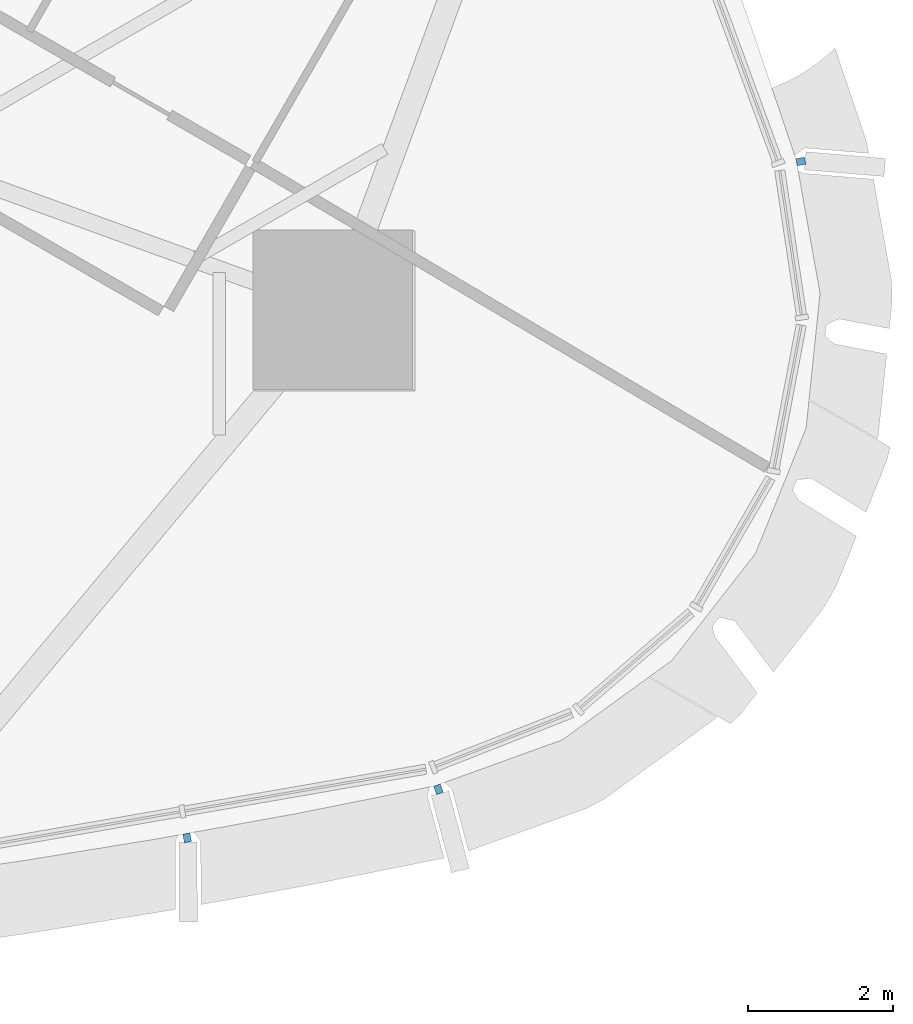
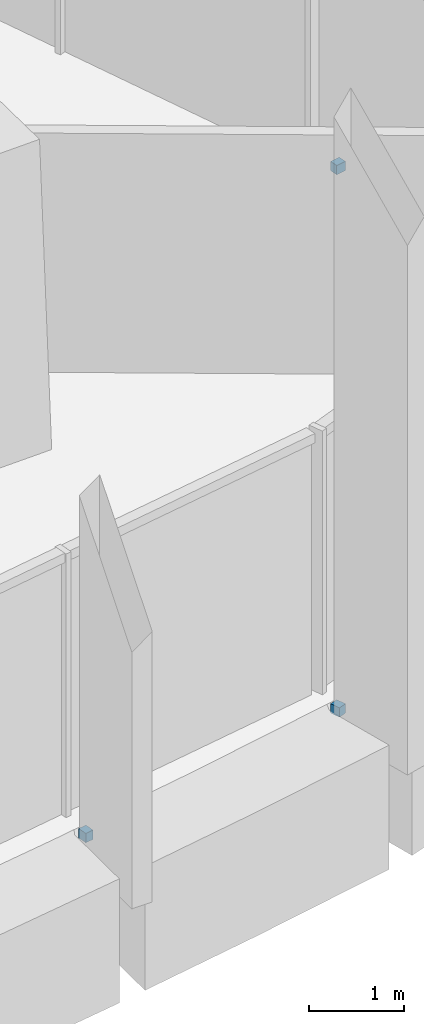
# One storey, part 13 of 18: 3 discrete accessories.
"""IFC4 building model written with IfcOpenShell, lengths in metres."""

from ifc_helpers import new_model, si_unit, direction, frame, origin, origin_2d, place, context, subcontext, project, spatial, rectangle, extrude, material, type_object, element, save


model = new_model("IFC4")

# Units and contexts
model_context = context("Model", 3, precision=1e-05, world=origin(), true_north=direction((0.0, 1.0)))
body_context = subcontext(model_context, "Body", "Model", "MODEL_VIEW")
ifc_project = project(units=[si_unit("LENGTHUNIT", "METRE"), si_unit("AREAUNIT", "SQUARE_METRE"), si_unit("VOLUMEUNIT", "CUBIC_METRE"), si_unit("PLANEANGLEUNIT", "RADIAN"), si_unit("MASSUNIT", "GRAM", prefix="KILO")], contexts=[model_context])

# Site, building, storey
site_placement = place(None, origin())
site = spatial("IfcSite", under=ifc_project, at=site_placement, CompositionType="ELEMENT")
building_placement = place(site_placement, origin())
building = spatial("IfcBuilding", under=site, at=building_placement, Name="Sierra Prisma Convention Tower", CompositionType="ELEMENT")
storey_placement = place(building_placement, frame((0.0, 0.0, 287.0)))
storey = spatial("IfcBuildingStorey", under=building, at=storey_placement, Name="L65", CompositionType="ELEMENT", Elevation=287.0)

# Discrete accessories
ifc_material = material(Name="Stainless steel 316", Category="steel")
discrete_accessory_type = type_object("IfcDiscreteAccessoryType", Name="Fin bracket", PredefinedType="BRACKET", material=ifc_material)
for number, where, z_axis, x_axis, name in (
    (1, (18.693359375, -19.22900390625, -0.135009765625), (0.0, 0.0, 1.0), (0.178477430267, -0.98394400597, 0.0), "Fin bracket L65.17 base"),
    (2, (22.15625, -18.558837890625, -0.135009765625), (0.0, 0.0, 1.0), (0.339603325235, -0.940568754259, 0.0), "Fin bracket L65.18 base"),
    (3, (27.150390625, -9.908447265625, -0.135009765625), (0.0, 0.0, 1.0), (0.984358097812, 0.176179270266, 0.0), "Fin bracket L65.23 base"),
):
    element("IfcDiscreteAccessory", number, at=place(storey_placement, frame(where, z_axis=z_axis, x_axis=x_axis)), inside=storey, type_object=discrete_accessory_type, Name=name, PredefinedType="BRACKET", context=body_context, shape_type="SweptSolid", body=[
        extrude(rectangle(XDim=0.1201171875, YDim=0.10009765625, at=origin_2d()), origin(), (0.0, 0.0, 1.0), 0.1201171875),
    ])

save(model, "model.ifc")
